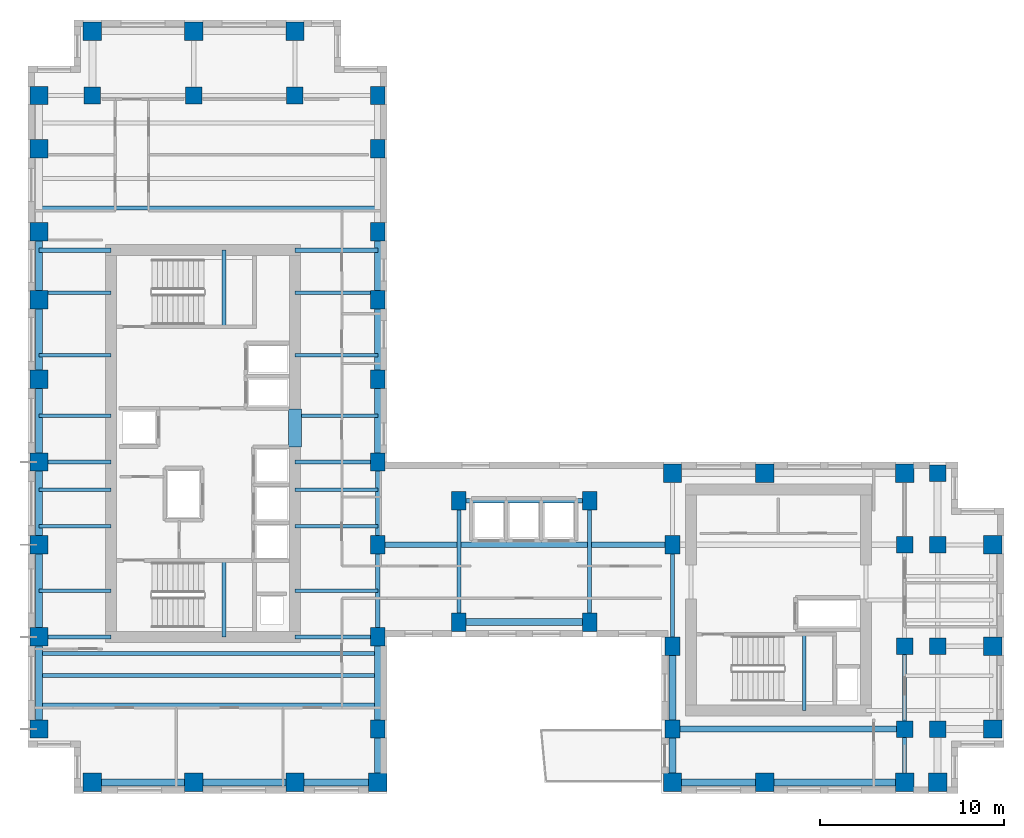
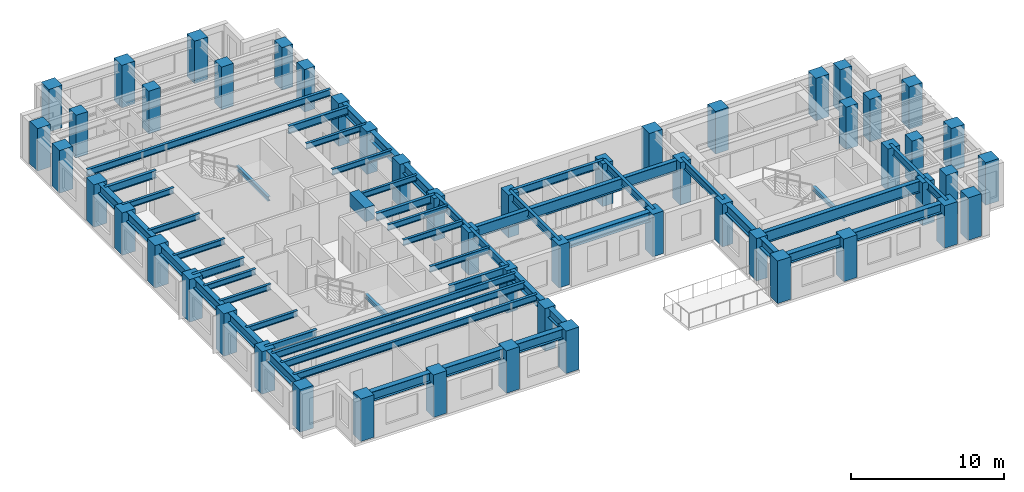
# One storey, part 1 of 11: 55 beams, 52 columns.
"""IFC4 building model written with IfcOpenShell, lengths in metres."""

from ifc_helpers import new_model, si_unit, direction, frame, origin, origin_2d, place, context, subcontext, project, spatial, rectangle, i_section, extrude, source, transform, mapped, material, material_profile, profile_set, type_object, element, save


model = new_model("IFC4")

# Units and contexts
model_context = context("Model", 3, precision=1e-05, world=origin(), true_north=direction((0.0, 1.0)))
body_context = subcontext(model_context, "Body", "Model", "MODEL_VIEW")
ifc_project = project(units=[si_unit("LENGTHUNIT", "METRE"), si_unit("AREAUNIT", "SQUARE_METRE"), si_unit("VOLUMEUNIT", "CUBIC_METRE"), si_unit("PLANEANGLEUNIT", "RADIAN"), si_unit("MASSUNIT", "GRAM", prefix="KILO")], contexts=[model_context])

# Site, building, storey
site_placement = place(None, origin())
site = spatial("IfcSite", under=ifc_project, at=site_placement, CompositionType="ELEMENT")
building_placement = place(site_placement, origin())
building = spatial("IfcBuilding", under=site, at=building_placement, Name="Kharzan Plaza Tower", CompositionType="ELEMENT")
storey_placement = place(building_placement, frame((0.0, 0.0, 193.5)))
storey = spatial("IfcBuildingStorey", under=building, at=storey_placement, Name="L52", CompositionType="ELEMENT", Elevation=193.5)

# Columns
ifc_material_1 = material(Name="Concrete C50/60", Category="concrete")
ifc_material_profile_1 = material_profile(ifc_material_1, rectangle(XDim=0.89990234375, YDim=0.89990234375, at=origin_2d()), Name="RC-IC900x900")
ifc_profile_set_1 = profile_set([ifc_material_profile_1], Name="Concrete C50/60")
column_type_1 = type_object("IfcColumnType", Name="COL-IC900", PredefinedType="COLUMN", material=ifc_profile_set_1)
shared_shape_1 = source(origin(), body_context, "Body", "SweptSolid", [
    extrude(rectangle(XDim=0.89990234375, YDim=0.89990234375, at=origin_2d()), origin(), (0.0, 0.0, 1.0), 3.39990234375),
])
for number, where, z_axis, x_axis, name in (
    (1, (47.60009765625, 13.5, 0.0), (0.0, 0.0, 1.0), (1.0, 0.0, 0.0), "L52 Structural Column TCBI-135"),
    (2, (47.60009765625, 3.5, 0.0), (0.0, 0.0, 1.0), (1.0, 0.0, 0.0), "L52 Structural Column TCBI-35"),
    (3, (47.60009765625, 8.0, 0.0), (0.0, 0.0, 1.0), (1.0, 0.0, 0.0), "L52 Structural Column TCBI-80"),
    (4, (49.39990234375, 13.5, 0.0), (0.0, 0.0, 1.0), (1.0, 0.0, 0.0), "L52 Structural Column TCE-494-135"),
    (5, (49.39990234375, 17.39990234375, 0.0), (0.0, 0.0, 1.0), (1.0, 0.0, 0.0), "L52 Structural Column TCE-494-174"),
    (6, (49.39990234375, 3.5, 0.0), (0.0, 0.0, 1.0), (1.0, 0.0, 0.0), "L52 Structural Column TCE-494-35"),
    (7, (49.39990234375, 8.0, 0.0), (0.0, 0.0, 1.0), (1.0, 0.0, 0.0), "L52 Structural Column TCE-494-80"),
    (8, (14.5, 37.89990234375, 0.0), (0.0, 0.0, 1.0), (1.0, 0.0, 0.0), "L52 Structural Column TCN-145-379"),
    (9, (3.5, 37.89990234375, 0.0), (0.0, 0.0, 1.0), (1.0, 0.0, 0.0), "L52 Structural Column TCN-35-379"),
    (10, (9.0, 37.89990234375, 0.0), (0.0, 0.0, 1.0), (1.0, 0.0, 0.0), "L52 Structural Column TCN-90-379"),
):
    element("IfcColumn", number, at=place(storey_placement, frame(where, z_axis=z_axis, x_axis=x_axis)), inside=storey, type_object=column_type_1, Name=name, PredefinedType="COLUMN", context=body_context, shape_type="MappedRepresentation", body=[
        mapped(shared_shape_1, transform((0.0, 0.0, 0.0), x_axis=(1.0, 0.0, 0.0), y_axis=(0.0, 1.0, 0.0), z_axis=(0.0, 0.0, 1.0))),
    ])
ifc_material_profile_2 = material_profile(ifc_material_1, rectangle(XDim=0.800048828125, YDim=1.0, at=origin_2d()), Name="RC-SC1000x800")
ifc_profile_set_2 = profile_set([ifc_material_profile_2], Name="Concrete C50/60")
column_type_2 = type_object("IfcColumnType", Name="COL-SC1000", PredefinedType="COLUMN", material=ifc_profile_set_2)
shared_shape_2 = source(origin(), body_context, "Body", "SweptSolid", [
    extrude(rectangle(XDim=0.800048828125, YDim=1.0, at=origin_2d()), origin(), (0.0, 0.0, 1.0), 3.39990234375),
])
for number, where, z_axis, x_axis, name in (
    (11, (19.0, 13.5, 0.0), (0.0, 0.0, 1.0), (1.0, 0.0, 0.0), "L52 Structural Column TCA-135"),
    (12, (19.0, 18.0, 0.0), (0.0, 0.0, 1.0), (1.0, 0.0, 0.0), "L52 Structural Column TCA-180"),
    (13, (19.0, 22.5, 0.0), (0.0, 0.0, 1.0), (1.0, 0.0, 0.0), "L52 Structural Column TCA-225"),
    (14, (19.0, 26.800048828125, 0.0), (0.0, 0.0, 1.0), (1.0, 0.0, 0.0), "L52 Structural Column TCA-268"),
    (15, (19.0, 30.5, 0.0), (0.0, 0.0, 1.0), (1.0, 0.0, 0.0), "L52 Structural Column TCA-305"),
    (16, (19.0, 3.5, 0.0), (0.0, 0.0, 1.0), (1.0, 0.0, 0.0), "L52 Structural Column TCA-35"),
    (17, (19.0, 35.0, 0.0), (0.0, 0.0, 1.0), (1.0, 0.0, 0.0), "L52 Structural Column TCA-350"),
    (18, (19.0, 37.89990234375, 0.0), (0.0, 0.0, 1.0), (1.0, 0.0, 0.0), "L52 Structural Column TCA-379"),
    (19, (19.0, 8.5, 0.0), (0.0, 0.0, 1.0), (1.0, 0.0, 0.0), "L52 Structural Column TCA-85"),
    (20, (35.0, 13.5, 0.0), (0.0, 0.0, 1.0), (1.0, 0.0, 0.0), "L52 Structural Column TCBS-135"),
    (21, (35.0, 3.5, 0.0), (0.0, 0.0, 1.0), (1.0, 0.0, 0.0), "L52 Structural Column TCBS-35"),
    (22, (35.0, 8.0, 0.0), (0.0, 0.0, 1.0), (1.0, 0.0, 0.0), "L52 Structural Column TCBS-80"),
    (23, (23.39990234375, 15.89990234375, 0.0), (0.0, 0.0, 1.0), (1.0, 0.0, 0.0), "L52 Structural Column TCSP-234-159"),
    (24, (23.39990234375, 9.300048828125, 0.0), (0.0, 0.0, 1.0), (1.0, 0.0, 0.0), "L52 Structural Column TCSP-234-93"),
    (25, (30.5, 15.89990234375, 0.0), (0.0, 0.0, 1.0), (1.0, 0.0, 0.0), "L52 Structural Column TCSP-305-159"),
    (26, (30.5, 9.300048828125, 0.0), (0.0, 0.0, 1.0), (1.0, 0.0, 0.0), "L52 Structural Column TCSP-305-93"),
):
    element("IfcColumn", number, at=place(storey_placement, frame(where, z_axis=z_axis, x_axis=x_axis)), inside=storey, type_object=column_type_2, Name=name, PredefinedType="COLUMN", context=body_context, shape_type="MappedRepresentation", body=[
        mapped(shared_shape_2, transform((0.0, 0.0, 0.0), x_axis=(1.0, 0.0, 0.0), y_axis=(0.0, 1.0, 0.0), z_axis=(0.0, 0.0, 1.0))),
    ])
ifc_material_profile_3 = material_profile(ifc_material_1, rectangle(XDim=1.0, YDim=1.0, at=origin_2d()), Name="RC-TC1000x1000")
ifc_profile_set_3 = profile_set([ifc_material_profile_3], Name="Concrete C50/60")
column_type_3 = type_object("IfcColumnType", Name="COL-TC1000", PredefinedType="COLUMN", material=ifc_profile_set_3)
shared_shape_3 = source(origin(), body_context, "Body", "SweptSolid", [
    extrude(rectangle(XDim=1.0, YDim=1.0, at=origin_2d()), origin(), (0.0, 0.0, 1.0), 3.39990234375),
])
for number, where, z_axis, x_axis, name in (
    (27, (35.0, 17.39990234375, 0.0), (0.0, 0.0, 1.0), (1.0, 0.0, 0.0), "L52 Structural Column TCBN-350-174"),
    (28, (40.0, 17.39990234375, 0.0), (0.0, 0.0, 1.0), (1.0, 0.0, 0.0), "L52 Structural Column TCBN-400-174"),
    (29, (47.60009765625, 17.39990234375, 0.0), (0.0, 0.0, 1.0), (1.0, 0.0, 0.0), "L52 Structural Column TCBN-476-174"),
    (30, (52.39990234375, 13.5, 0.0), (0.0, 0.0, 1.0), (1.0, 0.0, 0.0), "L52 Structural Column TCE-524-135"),
    (31, (52.39990234375, 3.5, 0.0), (0.0, 0.0, 1.0), (1.0, 0.0, 0.0), "L52 Structural Column TCE-524-35"),
    (32, (52.39990234375, 8.0, 0.0), (0.0, 0.0, 1.0), (1.0, 0.0, 0.0), "L52 Structural Column TCE-524-80"),
    (33, (14.5, 41.39990234375, 0.0), (0.0, 0.0, 1.0), (1.0, 0.0, 0.0), "L52 Structural Column TCN-145-414"),
    (34, (3.5, 41.39990234375, 0.0), (0.0, 0.0, 1.0), (1.0, 0.0, 0.0), "L52 Structural Column TCN-35-414"),
    (35, (9.0, 41.39990234375, 0.0), (0.0, 0.0, 1.0), (1.0, 0.0, 0.0), "L52 Structural Column TCN-90-414"),
    (36, (14.5, 0.60009765625, 0.0), (0.0, 0.0, 1.0), (1.0, 0.0, 0.0), "L52 Structural Column TCS-145"),
    (37, (19.0, 0.60009765625, 0.0), (0.0, 0.0, 1.0), (1.0, 0.0, 0.0), "L52 Structural Column TCS-190"),
    (38, (3.5, 0.60009765625, 0.0), (0.0, 0.0, 1.0), (1.0, 0.0, 0.0), "L52 Structural Column TCS-35"),
    (39, (35.0, 0.60009765625, 0.0), (0.0, 0.0, 1.0), (1.0, 0.0, 0.0), "L52 Structural Column TCS-350"),
    (40, (40.0, 0.60009765625, 0.0), (0.0, 0.0, 1.0), (1.0, 0.0, 0.0), "L52 Structural Column TCS-400"),
    (41, (47.60009765625, 0.60009765625, 0.0), (0.0, 0.0, 1.0), (1.0, 0.0, 0.0), "L52 Structural Column TCS-476"),
    (42, (49.39990234375, 0.60009765625, 0.0), (0.0, 0.0, 1.0), (1.0, 0.0, 0.0), "L52 Structural Column TCS-494"),
    (43, (9.0, 0.60009765625, 0.0), (0.0, 0.0, 1.0), (1.0, 0.0, 0.0), "L52 Structural Column TCS-90"),
    (44, (0.60009765625, 13.5, 0.0), (0.0, 0.0, 1.0), (1.0, 0.0, 0.0), "L52 Structural Column TCW-135"),
    (45, (0.60009765625, 18.0, 0.0), (0.0, 0.0, 1.0), (1.0, 0.0, 0.0), "L52 Structural Column TCW-180"),
    (46, (0.60009765625, 22.5, 0.0), (0.0, 0.0, 1.0), (1.0, 0.0, 0.0), "L52 Structural Column TCW-225"),
    (47, (0.60009765625, 26.800048828125, 0.0), (0.0, 0.0, 1.0), (1.0, 0.0, 0.0), "L52 Structural Column TCW-268"),
    (48, (0.60009765625, 30.5, 0.0), (0.0, 0.0, 1.0), (1.0, 0.0, 0.0), "L52 Structural Column TCW-305"),
    (49, (0.60009765625, 3.5, 0.0), (0.0, 0.0, 1.0), (1.0, 0.0, 0.0), "L52 Structural Column TCW-35"),
    (50, (0.60009765625, 35.0, 0.0), (0.0, 0.0, 1.0), (1.0, 0.0, 0.0), "L52 Structural Column TCW-350"),
    (51, (0.60009765625, 37.89990234375, 0.0), (0.0, 0.0, 1.0), (1.0, 0.0, 0.0), "L52 Structural Column TCW-379"),
    (52, (0.60009765625, 8.5, 0.0), (0.0, 0.0, 1.0), (1.0, 0.0, 0.0), "L52 Structural Column TCW-85"),
):
    element("IfcColumn", number, at=place(storey_placement, frame(where, z_axis=z_axis, x_axis=x_axis)), inside=storey, type_object=column_type_3, Name=name, PredefinedType="COLUMN", context=body_context, shape_type="MappedRepresentation", body=[
        mapped(shared_shape_3, transform((0.0, 0.0, 0.0), x_axis=(1.0, 0.0, 0.0), y_axis=(0.0, 1.0, 0.0), z_axis=(0.0, 0.0, 1.0))),
    ])

# Beams
ifc_material_2 = material(Name="Concrete C60/75", Category="concrete")
ifc_material_profile_4 = material_profile(ifc_material_2, rectangle(XDim=0.699951171875, YDim=1.10009765625, at=origin_2d()), Name="RC-CB1100x700")
ifc_profile_set_4 = profile_set([ifc_material_profile_4], Name="Concrete C60/75")
beam_type_1 = type_object("IfcBeamType", Name="BM-RCCB1100", PredefinedType="LINTEL", material=ifc_profile_set_4)
shared_shape_4 = source(origin(), body_context, "Body", "SweptSolid", [
    extrude(rectangle(XDim=0.699951171875, YDim=1.10009765625, at=origin_2d()), origin(), (0.0, 0.0, 1.0), 2.059814453125),
])
beam_1_placement = place(storey_placement, frame((14.5, 18.820068359375, 2.85009765625), z_axis=(0.0, 1.0, 0.0), x_axis=(-1.0, 0.0, 0.0)))
element("IfcBeam", 53, at=beam_1_placement, inside=storey, type_object=beam_type_1, Name="L52 CORE-A RC coupling beam CB1", PredefinedType="LINTEL", context=body_context, shape_type="MappedRepresentation", body=[
    mapped(shared_shape_4, transform((0.0, 0.0, 0.0), x_axis=(1.0, 0.0, 0.0), y_axis=(0.0, 1.0, 0.0), z_axis=(0.0, 0.0, 1.0))),
])
ifc_material_3 = material(Name="Steel S355", Category="steel")
ifc_material_profile_5 = material_profile(ifc_material_3, i_section(OverallWidth=0.205078125, OverallDepth=0.35400390625, WebThickness=0.009521484375, FlangeThickness=0.016845703125, at=origin_2d()), Name="W360x79")
ifc_profile_set_5 = profile_set([ifc_material_profile_5], Name="Steel S355")
beam_type_2 = type_object("IfcBeamType", Name="BM-LNT360", PredefinedType="LINTEL", material=ifc_profile_set_5)
shared_shape_5 = source(origin(), body_context, "Body", "SweptSolid", [
    extrude(i_section(OverallWidth=0.205078125, OverallDepth=0.35400390625, WebThickness=0.009521484375, FlangeThickness=0.016845703125, at=origin_2d()), origin(), (0.0, 0.0, 1.0), 4.155029296875),
])
for number, where, z_axis, x_axis, name in (
    (54, (10.64990234375, 8.5, 1.423095703125), (0.0, 1.0, 0.0), (-1.0, 0.0, 0.0), "L52 Stair ST-1 Half-Landing Beam"),
    (55, (10.64990234375, 25.344970703125, 1.423095703125), (0.0, 1.0, 0.0), (-1.0, 0.0, 0.0), "L52 Stair ST-2 Half-Landing Beam"),
    (56, (42.14990234375, 4.5, 1.423095703125), (0.0, 1.0, 0.0), (-1.0, 0.0, 0.0), "L52 Stair ST-3 Half-Landing Beam"),
):
    element("IfcBeam", number, at=place(storey_placement, frame(where, z_axis=z_axis, x_axis=x_axis)), inside=storey, type_object=beam_type_2, Name=name, PredefinedType="LINTEL", context=body_context, shape_type="MappedRepresentation", body=[
        mapped(shared_shape_5, transform((0.0, 0.0, 0.0), x_axis=(1.0, 0.0, 0.0), y_axis=(0.0, 1.0, 0.0), z_axis=(0.0, 0.0, 1.0))),
    ])
ifc_material_profile_6 = material_profile(ifc_material_3, i_section(OverallWidth=0.304931640625, OverallDepth=0.9189453125, WebThickness=0.017333984375, FlangeThickness=0.02783203125, at=origin_2d()), Name="W920x253")
ifc_profile_set_6 = profile_set([ifc_material_profile_6], Name="Steel S355")
beam_type_3 = type_object("IfcBeamType", Name="BM-FG920B", PredefinedType="BEAM", material=ifc_profile_set_6)
shared_shape_6 = source(origin(), body_context, "Body", "SweptSolid", [
    extrude(i_section(OverallWidth=0.304931640625, OverallDepth=0.9189453125, WebThickness=0.017333984375, FlangeThickness=0.02783203125, at=origin_2d()), origin(), (0.0, 0.0, 1.0), 12.60009765625),
])
beam_2_placement = place(storey_placement, frame((35.0, 3.5, 2.9404296875), z_axis=(1.0, 0.0, 0.0), x_axis=(0.0, 1.0, 0.0)))
element("IfcBeam", 57, at=beam_2_placement, inside=storey, type_object=beam_type_3, Name="L52 Primary Floor Girder", PredefinedType="BEAM", context=body_context, shape_type="MappedRepresentation", body=[
    mapped(shared_shape_6, transform((0.0, 0.0, 0.0), x_axis=(1.0, 0.0, 0.0), y_axis=(0.0, 1.0, 0.0), z_axis=(0.0, 0.0, 1.0))),
])
shared_shape_7 = source(origin(), body_context, "Body", "SweptSolid", [
    extrude(i_section(OverallWidth=0.304931640625, OverallDepth=0.9189453125, WebThickness=0.017333984375, FlangeThickness=0.02783203125, at=origin_2d()), origin(), (0.0, 0.0, 1.0), 16.0),
])
beam_3_placement = place(storey_placement, frame((19.0, 13.5, 2.9404296875), z_axis=(1.0, 0.0, 0.0), x_axis=(0.0, 1.0, 0.0)))
element("IfcBeam", 58, at=beam_3_placement, inside=storey, type_object=beam_type_3, Name="L52 Primary Floor Girder", PredefinedType="BEAM", context=body_context, shape_type="MappedRepresentation", body=[
    mapped(shared_shape_7, transform((0.0, 0.0, 0.0), x_axis=(1.0, 0.0, 0.0), y_axis=(0.0, 1.0, 0.0), z_axis=(0.0, 0.0, 1.0))),
])
ifc_material_profile_7 = material_profile(ifc_material_3, i_section(OverallWidth=0.2099609375, OverallDepth=0.537109375, WebThickness=0.010986328125, FlangeThickness=0.017333984375, at=origin_2d()), Name="W530x101")
ifc_profile_set_7 = profile_set([ifc_material_profile_7], Name="Steel S355")
beam_type_4 = type_object("IfcBeamType", Name="BM-JST530B", PredefinedType="JOIST", material=ifc_profile_set_7)
shared_shape_8 = source(origin(), body_context, "Body", "SweptSolid", [
    extrude(i_section(OverallWidth=0.2099609375, OverallDepth=0.537109375, WebThickness=0.010986328125, FlangeThickness=0.017333984375, at=origin_2d()), origin(), (0.0, 0.0, 1.0), 18.39990234375),
])
for number, where, z_axis, x_axis, name in (
    (59, (0.60009765625, 4.800048828125, 3.131591796875), (1.0, 0.0, 0.0), (0.0, 1.0, 0.0), "L52 Wing A Composite Joist 01"),
    (60, (0.60009765625, 6.39990234375, 3.131591796875), (1.0, 0.0, 0.0), (0.0, 1.0, 0.0), "L52 Wing A Composite Joist 02"),
    (61, (0.60009765625, 7.60009765625, 3.131591796875), (1.0, 0.0, 0.0), (0.0, 1.0, 0.0), "L52 Wing A Composite Joist 03"),
    (62, (0.60009765625, 31.800048828125, 3.131591796875), (1.0, 0.0, 0.0), (0.0, 1.0, 0.0), "L52 Wing A Composite Joist 04"),
):
    element("IfcBeam", number, at=place(storey_placement, frame(where, z_axis=z_axis, x_axis=x_axis)), inside=storey, type_object=beam_type_4, Name=name, PredefinedType="JOIST", context=body_context, shape_type="MappedRepresentation", body=[
        mapped(shared_shape_8, transform((0.0, 0.0, 0.0), x_axis=(1.0, 0.0, 0.0), y_axis=(0.0, 1.0, 0.0), z_axis=(0.0, 0.0, 1.0))),
    ])
ifc_material_profile_8 = material_profile(ifc_material_3, i_section(OverallWidth=0.194091796875, OverallDepth=0.468994140625, WebThickness=0.011474609375, FlangeThickness=0.0205078125, at=origin_2d()), Name="W460x106")
ifc_profile_set_8 = profile_set([ifc_material_profile_8], Name="Steel S355")
beam_type_5 = type_object("IfcBeamType", Name="BM-JST460", PredefinedType="JOIST", material=ifc_profile_set_8)
shared_shape_9 = source(origin(), body_context, "Body", "SweptSolid", [
    extrude(i_section(OverallWidth=0.194091796875, OverallDepth=0.468994140625, WebThickness=0.011474609375, FlangeThickness=0.0205078125, at=origin_2d()), origin(), (0.0, 0.0, 1.0), 4.5),
])
for number, where, z_axis, x_axis, name in (
    (63, (14.5, 11.0, 3.16552734375), (1.0, 0.0, 0.0), (0.0, 1.0, 0.0), "L52 Wing A East Infill Joist 1"),
    (64, (14.5, 14.5, 3.16552734375), (1.0, 0.0, 0.0), (0.0, 1.0, 0.0), "L52 Wing A East Infill Joist 2"),
    (65, (14.5, 16.5, 3.16552734375), (1.0, 0.0, 0.0), (0.0, 1.0, 0.0), "L52 Wing A East Infill Joist 3"),
    (66, (14.5, 20.5, 3.16552734375), (1.0, 0.0, 0.0), (0.0, 1.0, 0.0), "L52 Wing A East Infill Joist 4"),
    (67, (14.5, 23.800048828125, 3.16552734375), (1.0, 0.0, 0.0), (0.0, 1.0, 0.0), "L52 Wing A East Infill Joist 5"),
    (68, (14.5, 27.199951171875, 3.16552734375), (1.0, 0.0, 0.0), (0.0, 1.0, 0.0), "L52 Wing A East Infill Joist 6"),
):
    element("IfcBeam", number, at=place(storey_placement, frame(where, z_axis=z_axis, x_axis=x_axis)), inside=storey, type_object=beam_type_5, Name=name, PredefinedType="JOIST", context=body_context, shape_type="MappedRepresentation", body=[
        mapped(shared_shape_9, transform((0.0, 0.0, 0.0), x_axis=(1.0, 0.0, 0.0), y_axis=(0.0, 1.0, 0.0), z_axis=(0.0, 0.0, 1.0))),
    ])
shared_shape_10 = source(origin(), body_context, "Body", "SweptSolid", [
    extrude(i_section(OverallWidth=0.194091796875, OverallDepth=0.468994140625, WebThickness=0.011474609375, FlangeThickness=0.0205078125, at=origin_2d()), origin(), (0.0, 0.0, 1.0), 3.89990234375),
])
for number, where, z_axis, x_axis, name in (
    (69, (0.60009765625, 11.0, 3.16552734375), (1.0, 0.0, 0.0), (0.0, 1.0, 0.0), "L52 Wing A West Infill Joist 1"),
    (70, (0.60009765625, 14.5, 3.16552734375), (1.0, 0.0, 0.0), (0.0, 1.0, 0.0), "L52 Wing A West Infill Joist 2"),
    (71, (0.60009765625, 16.5, 3.16552734375), (1.0, 0.0, 0.0), (0.0, 1.0, 0.0), "L52 Wing A West Infill Joist 3"),
    (72, (0.60009765625, 20.5, 3.16552734375), (1.0, 0.0, 0.0), (0.0, 1.0, 0.0), "L52 Wing A West Infill Joist 4"),
    (73, (0.60009765625, 23.800048828125, 3.16552734375), (1.0, 0.0, 0.0), (0.0, 1.0, 0.0), "L52 Wing A West Infill Joist 5"),
    (74, (0.60009765625, 27.199951171875, 3.16552734375), (1.0, 0.0, 0.0), (0.0, 1.0, 0.0), "L52 Wing A West Infill Joist 6"),
):
    element("IfcBeam", number, at=place(storey_placement, frame(where, z_axis=z_axis, x_axis=x_axis)), inside=storey, type_object=beam_type_5, Name=name, PredefinedType="JOIST", context=body_context, shape_type="MappedRepresentation", body=[
        mapped(shared_shape_10, transform((0.0, 0.0, 0.0), x_axis=(1.0, 0.0, 0.0), y_axis=(0.0, 1.0, 0.0), z_axis=(0.0, 0.0, 1.0))),
    ])
ifc_material_profile_9 = material_profile(ifc_material_3, i_section(OverallWidth=0.22900390625, OverallDepth=0.612060546875, WebThickness=0.011962890625, FlangeThickness=0.01953125, at=origin_2d()), Name="W610x125")
ifc_profile_set_9 = profile_set([ifc_material_profile_9], Name="Steel S355")
beam_type_6 = type_object("IfcBeamType", Name="BM-FG610B", PredefinedType="BEAM", material=ifc_profile_set_9)
shared_shape_11 = source(origin(), body_context, "Body", "SweptSolid", [
    extrude(i_section(OverallWidth=0.22900390625, OverallDepth=0.612060546875, WebThickness=0.011962890625, FlangeThickness=0.01953125, at=origin_2d()), origin(), (0.0, 0.0, 1.0), 4.5),
])
for number, where, z_axis, x_axis, name in (
    (75, (14.5, 8.5, 3.093994140625), (1.0, 0.0, 0.0), (0.0, 1.0, 0.0), "L52 Core-A East Floor Girder 1"),
    (76, (14.5, 18.0, 3.093994140625), (1.0, 0.0, 0.0), (0.0, 1.0, 0.0), "L52 Core-A East Floor Girder 2"),
    (77, (14.5, 29.5, 3.093994140625), (1.0, 0.0, 0.0), (0.0, 1.0, 0.0), "L52 Core-A East Floor Girder 3"),
    (78, (19.0, 13.5, 3.093994140625), (0.0, 1.0, 0.0), (-1.0, 0.0, 0.0), "L52 Interior Frame Girder"),
    (79, (47.60009765625, 3.5, 3.093994140625), (0.0, 1.0, 0.0), (-1.0, 0.0, 0.0), "L52 Interior Frame Girder"),
):
    element("IfcBeam", number, at=place(storey_placement, frame(where, z_axis=z_axis, x_axis=x_axis)), inside=storey, type_object=beam_type_6, Name=name, PredefinedType="BEAM", context=body_context, shape_type="MappedRepresentation", body=[
        mapped(shared_shape_11, transform((0.0, 0.0, 0.0), x_axis=(1.0, 0.0, 0.0), y_axis=(0.0, 1.0, 0.0), z_axis=(0.0, 0.0, 1.0))),
    ])
shared_shape_12 = source(origin(), body_context, "Body", "SweptSolid", [
    extrude(i_section(OverallWidth=0.22900390625, OverallDepth=0.612060546875, WebThickness=0.011962890625, FlangeThickness=0.01953125, at=origin_2d()), origin(), (0.0, 0.0, 1.0), 3.89990234375),
])
for number, where, z_axis, x_axis, name in (
    (80, (0.60009765625, 8.5, 3.093994140625), (1.0, 0.0, 0.0), (0.0, 1.0, 0.0), "L52 Core-A West Floor Girder 1"),
    (81, (0.60009765625, 18.0, 3.093994140625), (1.0, 0.0, 0.0), (0.0, 1.0, 0.0), "L52 Core-A West Floor Girder 2"),
    (82, (0.60009765625, 29.5, 3.093994140625), (1.0, 0.0, 0.0), (0.0, 1.0, 0.0), "L52 Core-A West Floor Girder 3"),
):
    element("IfcBeam", number, at=place(storey_placement, frame(where, z_axis=z_axis, x_axis=x_axis)), inside=storey, type_object=beam_type_6, Name=name, PredefinedType="BEAM", context=body_context, shape_type="MappedRepresentation", body=[
        mapped(shared_shape_12, transform((0.0, 0.0, 0.0), x_axis=(1.0, 0.0, 0.0), y_axis=(0.0, 1.0, 0.0), z_axis=(0.0, 0.0, 1.0))),
    ])
shared_shape_13 = source(origin(), body_context, "Body", "SweptSolid", [
    extrude(i_section(OverallWidth=0.22900390625, OverallDepth=0.612060546875, WebThickness=0.011962890625, FlangeThickness=0.01953125, at=origin_2d()), origin(), (0.0, 0.0, 1.0), 5.0),
])
beam_4_placement = place(storey_placement, frame((19.0, 8.5, 3.093994140625), z_axis=(0.0, 1.0, 0.0), x_axis=(-1.0, 0.0, 0.0)))
element("IfcBeam", 83, at=beam_4_placement, inside=storey, type_object=beam_type_6, Name="L52 Interior Frame Girder", PredefinedType="BEAM", context=body_context, shape_type="MappedRepresentation", body=[
    mapped(shared_shape_13, transform((0.0, 0.0, 0.0), x_axis=(1.0, 0.0, 0.0), y_axis=(0.0, 1.0, 0.0), z_axis=(0.0, 0.0, 1.0))),
])
shared_shape_14 = source(origin(), body_context, "Body", "SweptSolid", [
    extrude(i_section(OverallWidth=0.22900390625, OverallDepth=0.612060546875, WebThickness=0.011962890625, FlangeThickness=0.01953125, at=origin_2d()), origin(), (0.0, 0.0, 1.0), 6.599853515625),
])
for number, where, z_axis, x_axis, name in (
    (84, (23.39990234375, 9.300048828125, 3.093994140625), (0.0, 1.0, 0.0), (-1.0, 0.0, 0.0), "L52 Interior Frame Girder"),
    (85, (30.5, 9.300048828125, 3.093994140625), (0.0, 1.0, 0.0), (-1.0, 0.0, 0.0), "L52 Interior Frame Girder"),
):
    element("IfcBeam", number, at=place(storey_placement, frame(where, z_axis=z_axis, x_axis=x_axis)), inside=storey, type_object=beam_type_6, Name=name, PredefinedType="BEAM", context=body_context, shape_type="MappedRepresentation", body=[
        mapped(shared_shape_14, transform((0.0, 0.0, 0.0), x_axis=(1.0, 0.0, 0.0), y_axis=(0.0, 1.0, 0.0), z_axis=(0.0, 0.0, 1.0))),
    ])
shared_shape_15 = source(origin(), body_context, "Body", "SweptSolid", [
    extrude(i_section(OverallWidth=0.22900390625, OverallDepth=0.612060546875, WebThickness=0.011962890625, FlangeThickness=0.01953125, at=origin_2d()), origin(), (0.0, 0.0, 1.0), 5.5),
])
beam_5_placement = place(storey_placement, frame((35.0, 8.0, 3.093994140625), z_axis=(0.0, 1.0, 0.0), x_axis=(-1.0, 0.0, 0.0)))
element("IfcBeam", 86, at=beam_5_placement, inside=storey, type_object=beam_type_6, Name="L52 Interior Frame Girder", PredefinedType="BEAM", context=body_context, shape_type="MappedRepresentation", body=[
    mapped(shared_shape_15, transform((0.0, 0.0, 0.0), x_axis=(1.0, 0.0, 0.0), y_axis=(0.0, 1.0, 0.0), z_axis=(0.0, 0.0, 1.0))),
])
shared_shape_16 = source(origin(), body_context, "Body", "SweptSolid", [
    extrude(i_section(OverallWidth=0.22900390625, OverallDepth=0.612060546875, WebThickness=0.011962890625, FlangeThickness=0.01953125, at=origin_2d()), origin(), (0.0, 0.0, 1.0), 2.89990234375),
])
beam_6_placement = place(storey_placement, frame((47.60009765625, 0.60009765625, 3.093994140625), z_axis=(0.0, 1.0, 0.0), x_axis=(-1.0, 0.0, 0.0)))
element("IfcBeam", 87, at=beam_6_placement, inside=storey, type_object=beam_type_6, Name="L52 Interior Frame Girder", PredefinedType="BEAM", context=body_context, shape_type="MappedRepresentation", body=[
    mapped(shared_shape_16, transform((0.0, 0.0, 0.0), x_axis=(1.0, 0.0, 0.0), y_axis=(0.0, 1.0, 0.0), z_axis=(0.0, 0.0, 1.0))),
])
shared_shape_17 = source(origin(), body_context, "Body", "SweptSolid", [
    extrude(i_section(OverallWidth=0.22900390625, OverallDepth=0.612060546875, WebThickness=0.011962890625, FlangeThickness=0.01953125, at=origin_2d()), origin(), (0.0, 0.0, 1.0), 7.10009765625),
])
beam_7_placement = place(storey_placement, frame((23.39990234375, 15.89990234375, 3.093994140625), z_axis=(1.0, 0.0, 0.0), x_axis=(0.0, 1.0, 0.0)))
element("IfcBeam", 88, at=beam_7_placement, inside=storey, type_object=beam_type_6, Name="L52 Primary Floor Girder", PredefinedType="BEAM", context=body_context, shape_type="MappedRepresentation", body=[
    mapped(shared_shape_17, transform((0.0, 0.0, 0.0), x_axis=(1.0, 0.0, 0.0), y_axis=(0.0, 1.0, 0.0), z_axis=(0.0, 0.0, 1.0))),
])
ifc_material_profile_10 = material_profile(ifc_material_3, i_section(OverallWidth=0.381103515625, OverallDepth=0.77294921875, WebThickness=0.0166015625, FlangeThickness=0.027587890625, at=origin_2d()), Name="W760x257")
ifc_profile_set_10 = profile_set([ifc_material_profile_10], Name="Steel S355")
beam_type_7 = type_object("IfcBeamType", Name="BM-SP760A", PredefinedType="SPANDREL", material=ifc_profile_set_10)
shared_shape_18 = source(origin(), body_context, "Body", "SweptSolid", [
    extrude(i_section(OverallWidth=0.381103515625, OverallDepth=0.77294921875, WebThickness=0.0166015625, FlangeThickness=0.027587890625, at=origin_2d()), origin(), (0.0, 0.0, 1.0), 5.0),
])
for number, where, z_axis, x_axis, name in (
    (89, (0.60009765625, 3.5, 3.013427734375), (0.0, 1.0, 0.0), (-1.0, 0.0, 0.0), "L52 Perimeter Tube Spandrel"),
    (90, (0.60009765625, 8.5, 3.013427734375), (0.0, 1.0, 0.0), (-1.0, 0.0, 0.0), "L52 Perimeter Tube Spandrel"),
    (91, (19.0, 3.5, 3.013427734375), (0.0, 1.0, 0.0), (-1.0, 0.0, 0.0), "L52 Perimeter Tube Spandrel"),
    (92, (35.0, 0.60009765625, 3.013427734375), (1.0, 0.0, 0.0), (0.0, 1.0, 0.0), "L52 Perimeter Tube Spandrel"),
):
    element("IfcBeam", number, at=place(storey_placement, frame(where, z_axis=z_axis, x_axis=x_axis)), inside=storey, type_object=beam_type_7, Name=name, PredefinedType="SPANDREL", context=body_context, shape_type="MappedRepresentation", body=[
        mapped(shared_shape_18, transform((0.0, 0.0, 0.0), x_axis=(1.0, 0.0, 0.0), y_axis=(0.0, 1.0, 0.0), z_axis=(0.0, 0.0, 1.0))),
    ])
shared_shape_19 = source(origin(), body_context, "Body", "SweptSolid", [
    extrude(i_section(OverallWidth=0.381103515625, OverallDepth=0.77294921875, WebThickness=0.0166015625, FlangeThickness=0.027587890625, at=origin_2d()), origin(), (0.0, 0.0, 1.0), 4.5),
])
for number, where, z_axis, x_axis, name in (
    (93, (0.60009765625, 13.5, 3.013427734375), (0.0, 1.0, 0.0), (-1.0, 0.0, 0.0), "L52 Perimeter Tube Spandrel"),
    (94, (0.60009765625, 18.0, 3.013427734375), (0.0, 1.0, 0.0), (-1.0, 0.0, 0.0), "L52 Perimeter Tube Spandrel"),
    (95, (19.0, 18.0, 3.013427734375), (0.0, 1.0, 0.0), (-1.0, 0.0, 0.0), "L52 Perimeter Tube Spandrel"),
    (96, (35.0, 3.5, 3.013427734375), (0.0, 1.0, 0.0), (-1.0, 0.0, 0.0), "L52 Perimeter Tube Spandrel"),
    (97, (14.5, 0.60009765625, 3.013427734375), (1.0, 0.0, 0.0), (0.0, 1.0, 0.0), "L52 Perimeter Tube Spandrel"),
):
    element("IfcBeam", number, at=place(storey_placement, frame(where, z_axis=z_axis, x_axis=x_axis)), inside=storey, type_object=beam_type_7, Name=name, PredefinedType="SPANDREL", context=body_context, shape_type="MappedRepresentation", body=[
        mapped(shared_shape_19, transform((0.0, 0.0, 0.0), x_axis=(1.0, 0.0, 0.0), y_axis=(0.0, 1.0, 0.0), z_axis=(0.0, 0.0, 1.0))),
    ])
shared_shape_20 = source(origin(), body_context, "Body", "SweptSolid", [
    extrude(i_section(OverallWidth=0.381103515625, OverallDepth=0.77294921875, WebThickness=0.0166015625, FlangeThickness=0.027587890625, at=origin_2d()), origin(), (0.0, 0.0, 1.0), 4.300048828125),
])
for number, where, z_axis, x_axis, name in (
    (98, (0.60009765625, 22.5, 3.013427734375), (0.0, 1.0, 0.0), (-1.0, 0.0, 0.0), "L52 Perimeter Tube Spandrel"),
    (99, (19.0, 22.5, 3.013427734375), (0.0, 1.0, 0.0), (-1.0, 0.0, 0.0), "L52 Perimeter Tube Spandrel"),
):
    element("IfcBeam", number, at=place(storey_placement, frame(where, z_axis=z_axis, x_axis=x_axis)), inside=storey, type_object=beam_type_7, Name=name, PredefinedType="SPANDREL", context=body_context, shape_type="MappedRepresentation", body=[
        mapped(shared_shape_20, transform((0.0, 0.0, 0.0), x_axis=(1.0, 0.0, 0.0), y_axis=(0.0, 1.0, 0.0), z_axis=(0.0, 0.0, 1.0))),
    ])
shared_shape_21 = source(origin(), body_context, "Body", "SweptSolid", [
    extrude(i_section(OverallWidth=0.381103515625, OverallDepth=0.77294921875, WebThickness=0.0166015625, FlangeThickness=0.027587890625, at=origin_2d()), origin(), (0.0, 0.0, 1.0), 3.699951171875),
])
for number, where, z_axis, x_axis, name in (
    (100, (0.60009765625, 26.800048828125, 3.013427734375), (0.0, 1.0, 0.0), (-1.0, 0.0, 0.0), "L52 Perimeter Tube Spandrel"),
    (101, (19.0, 26.800048828125, 3.013427734375), (0.0, 1.0, 0.0), (-1.0, 0.0, 0.0), "L52 Perimeter Tube Spandrel"),
):
    element("IfcBeam", number, at=place(storey_placement, frame(where, z_axis=z_axis, x_axis=x_axis)), inside=storey, type_object=beam_type_7, Name=name, PredefinedType="SPANDREL", context=body_context, shape_type="MappedRepresentation", body=[
        mapped(shared_shape_21, transform((0.0, 0.0, 0.0), x_axis=(1.0, 0.0, 0.0), y_axis=(0.0, 1.0, 0.0), z_axis=(0.0, 0.0, 1.0))),
    ])
shared_shape_22 = source(origin(), body_context, "Body", "SweptSolid", [
    extrude(i_section(OverallWidth=0.381103515625, OverallDepth=0.77294921875, WebThickness=0.0166015625, FlangeThickness=0.027587890625, at=origin_2d()), origin(), (0.0, 0.0, 1.0), 2.89990234375),
])
for number, where, z_axis, x_axis, name in (
    (102, (19.0, 0.60009765625, 3.013427734375), (0.0, 1.0, 0.0), (-1.0, 0.0, 0.0), "L52 Perimeter Tube Spandrel"),
    (103, (35.0, 0.60009765625, 3.013427734375), (0.0, 1.0, 0.0), (-1.0, 0.0, 0.0), "L52 Perimeter Tube Spandrel"),
):
    element("IfcBeam", number, at=place(storey_placement, frame(where, z_axis=z_axis, x_axis=x_axis)), inside=storey, type_object=beam_type_7, Name=name, PredefinedType="SPANDREL", context=body_context, shape_type="MappedRepresentation", body=[
        mapped(shared_shape_22, transform((0.0, 0.0, 0.0), x_axis=(1.0, 0.0, 0.0), y_axis=(0.0, 1.0, 0.0), z_axis=(0.0, 0.0, 1.0))),
    ])
shared_shape_23 = source(origin(), body_context, "Body", "SweptSolid", [
    extrude(i_section(OverallWidth=0.381103515625, OverallDepth=0.77294921875, WebThickness=0.0166015625, FlangeThickness=0.027587890625, at=origin_2d()), origin(), (0.0, 0.0, 1.0), 5.5),
])
for number, where, z_axis, x_axis, name in (
    (104, (3.5, 0.60009765625, 3.013427734375), (1.0, 0.0, 0.0), (0.0, 1.0, 0.0), "L52 Perimeter Tube Spandrel"),
    (105, (9.0, 0.60009765625, 3.013427734375), (1.0, 0.0, 0.0), (0.0, 1.0, 0.0), "L52 Perimeter Tube Spandrel"),
):
    element("IfcBeam", number, at=place(storey_placement, frame(where, z_axis=z_axis, x_axis=x_axis)), inside=storey, type_object=beam_type_7, Name=name, PredefinedType="SPANDREL", context=body_context, shape_type="MappedRepresentation", body=[
        mapped(shared_shape_23, transform((0.0, 0.0, 0.0), x_axis=(1.0, 0.0, 0.0), y_axis=(0.0, 1.0, 0.0), z_axis=(0.0, 0.0, 1.0))),
    ])
shared_shape_24 = source(origin(), body_context, "Body", "SweptSolid", [
    extrude(i_section(OverallWidth=0.381103515625, OverallDepth=0.77294921875, WebThickness=0.0166015625, FlangeThickness=0.027587890625, at=origin_2d()), origin(), (0.0, 0.0, 1.0), 7.60009765625),
])
beam_8_placement = place(storey_placement, frame((40.0, 0.60009765625, 3.013427734375), z_axis=(1.0, 0.0, 0.0), x_axis=(0.0, 1.0, 0.0)))
element("IfcBeam", 106, at=beam_8_placement, inside=storey, type_object=beam_type_7, Name="L52 Perimeter Tube Spandrel", PredefinedType="SPANDREL", context=body_context, shape_type="MappedRepresentation", body=[
    mapped(shared_shape_24, transform((0.0, 0.0, 0.0), x_axis=(1.0, 0.0, 0.0), y_axis=(0.0, 1.0, 0.0), z_axis=(0.0, 0.0, 1.0))),
])
shared_shape_25 = source(origin(), body_context, "Body", "SweptSolid", [
    extrude(i_section(OverallWidth=0.381103515625, OverallDepth=0.77294921875, WebThickness=0.0166015625, FlangeThickness=0.027587890625, at=origin_2d()), origin(), (0.0, 0.0, 1.0), 7.10009765625),
])
beam_9_placement = place(storey_placement, frame((23.39990234375, 9.300048828125, 3.013427734375), z_axis=(1.0, 0.0, 0.0), x_axis=(0.0, 1.0, 0.0)))
element("IfcBeam", 107, at=beam_9_placement, inside=storey, type_object=beam_type_7, Name="L52 Perimeter Tube Spandrel", PredefinedType="SPANDREL", context=body_context, shape_type="MappedRepresentation", body=[
    mapped(shared_shape_25, transform((0.0, 0.0, 0.0), x_axis=(1.0, 0.0, 0.0), y_axis=(0.0, 1.0, 0.0), z_axis=(0.0, 0.0, 1.0))),
])

save(model, "model.ifc")
